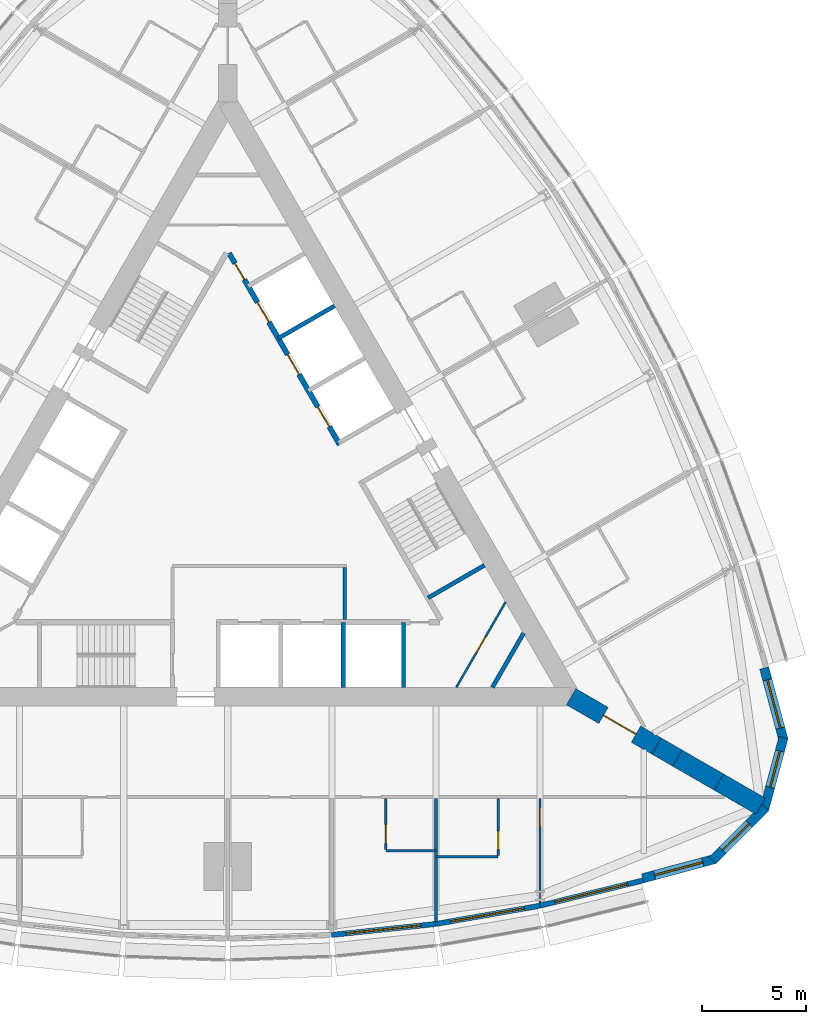
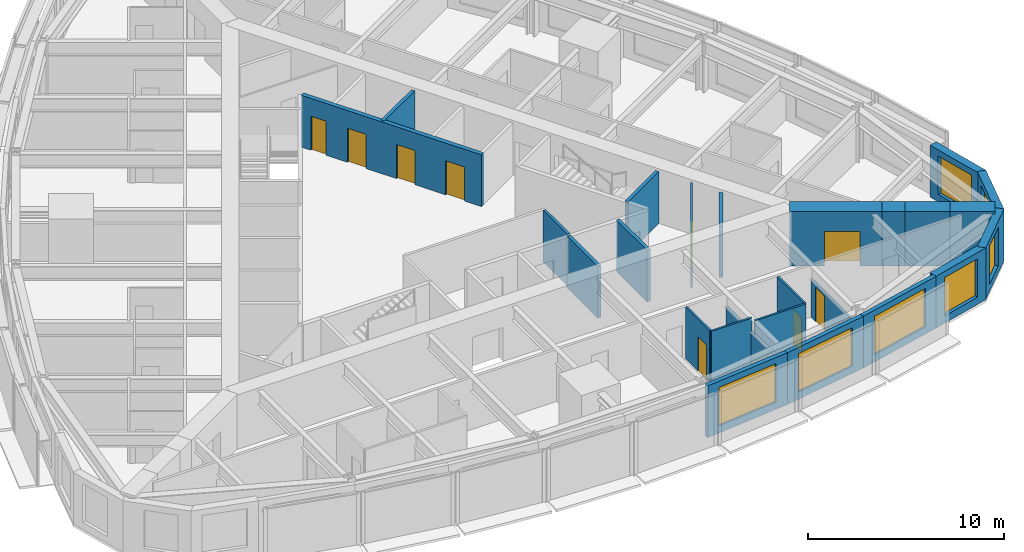
# One storey, part 10 of 14: 25 walls, 9 doors, 7 windows, 16 openings.
"""IFC4 building model written with IfcOpenShell, lengths in metres."""

from ifc_helpers import new_model, si_unit, direction, frame, frame_2d, origin, place, context, subcontext, project, spatial, polyline, rectangle, outline, extrude, material, layer, layer_set, type_object, element, fill, save


model = new_model("IFC4")

# Units and contexts
model_context = context("Model", 3, precision=1e-05, world=origin(), true_north=direction((0.0, 1.0)))
body_context = subcontext(model_context, "Body", "Model", "MODEL_VIEW")
ifc_project = project(units=[si_unit("LENGTHUNIT", "METRE"), si_unit("AREAUNIT", "SQUARE_METRE"), si_unit("VOLUMEUNIT", "CUBIC_METRE"), si_unit("PLANEANGLEUNIT", "RADIAN"), si_unit("MASSUNIT", "GRAM", prefix="KILO")], contexts=[model_context])

# Site, building, storey
site_placement = place(None, origin())
site = spatial("IfcSite", under=ifc_project, at=site_placement, CompositionType="ELEMENT")
building_placement = place(site_placement, origin())
building = spatial("IfcBuilding", under=site, at=building_placement, Name="Trikona Tower", CompositionType="ELEMENT")
storey_placement = place(building_placement, frame((0.0, 0.0, 162.300048828125)))
storey = spatial("IfcBuildingStorey", under=building, at=storey_placement, Name="L43", CompositionType="ELEMENT", Elevation=162.300048828125)

# Wall
ifc_material_1 = material(Name="Metal stud and cement board", Category="gypsum")
ifc_layer_1 = layer(ifc_material_1, 0.1201171875)
ifc_layer_set_1 = layer_set([ifc_layer_1], Name="Bathroom wall 120")
wall_type_1 = type_object("IfcWallType", Name="Bathroom wall 120", PredefinedType="PLUMBINGWALL", material=ifc_layer_set_1)
wall_1_placement = place(storey_placement, frame((7.60009765625, -16.92626953125, 0.0), z_axis=(0.0, 0.0, 1.0), x_axis=(1.0, 0.0, 0.0)))
element("IfcWall", 1, at=wall_1_placement, inside=storey, type_object=wall_type_1, Name="Bathroom wall 4303", PredefinedType="PLUMBINGWALL", context=body_context, shape_type="SweptSolid", body=[
    extrude(rectangle(XDim=2.39990234375, YDim=0.1201171875, at=frame_2d((1.199951171875, 0.0))), origin(), (0.0, 0.0, 1.0), 3.23486328125),
])

# Wall, opening, door
wall_2_placement = place(storey_placement, frame((7.60009765625, -14.42626953125, 0.0), z_axis=(0.0, 0.0, 1.0), x_axis=(0.0, -1.0, 0.0)))
wall_2 = element("IfcWall", 2, at=wall_2_placement, inside=storey, type_object=wall_type_1, Name="Bathroom wall 4303", PredefinedType="PLUMBINGWALL", context=body_context, shape_type="SweptSolid", body=[
    extrude(rectangle(XDim=2.43994140625, YDim=0.1201171875, at=frame_2d((1.219970703125, 0.0))), origin(), (0.0, 0.0, 1.0), 3.23486328125),
])
opening_1_placement = place(wall_2_placement, frame((1.25, 0.0, 0.0)))
opening_1 = element("IfcOpeningElement", 3, at=opening_1_placement, cuts=wall_2, Name="Opening D2", PredefinedType="OPENING", context=body_context, shape_type="SweptSolid", body=[
    extrude(rectangle(XDim=0.89990234375, YDim=2.1298828125, at=frame_2d((0.449951171875, 1.06494140625))), frame((0.0, 0.070068359375, 0.0), z_axis=(0.0, -1.0, 0.0), x_axis=(1.0, 0.0, 0.0)), (0.0, 0.0, 1.0), 0.14013671875),
])
ifc_material_2 = material(Name="Steel door frame with solid-core timber leaf", Category="steel")
door_type_1 = type_object("IfcDoorType", Name="Bathroom door 900x2130", OperationType="SLIDING_TO_LEFT", PredefinedType="DOOR", material=ifc_material_2)
door_1_placement = place(opening_1_placement, origin())
door_1 = element("IfcDoor", 4, at=door_1_placement, inside=storey, type_object=door_type_1, Name="Bathroom door 4303", OperationType="SLIDING_TO_LEFT", OverallHeight=2.1298828125, OverallWidth=0.89990234375, PredefinedType="DOOR", context=body_context, shape_type="SweptSolid", body=[
    extrude(rectangle(XDim=0.89990234375, YDim=2.1298828125, at=frame_2d((0.449951171875, 1.06494140625))), frame((0.0, 0.02490234375, 0.0), z_axis=(0.0, -1.0, 0.0), x_axis=(1.0, 0.0, 0.0)), (0.0, 0.0, 1.0), 0.050048828125),
])
fill(opening_1, door_1)

# Wall
wall_3_placement = place(storey_placement, frame((10.0, -17.226318359375, 0.0), z_axis=(0.0, 0.0, 1.0), x_axis=(1.0, 0.0, 0.0)))
element("IfcWall", 5, at=wall_3_placement, inside=storey, type_object=wall_type_1, Name="Bathroom wall 4304.1", PredefinedType="PLUMBINGWALL", context=body_context, shape_type="SweptSolid", body=[
    extrude(rectangle(XDim=3.0, YDim=0.1201171875, at=frame_2d((1.5, 0.0))), origin(), (0.0, 0.0, 1.0), 3.23486328125),
])

# Wall, opening, door
wall_4_placement = place(storey_placement, frame((13.0, -14.42626953125, 0.0), z_axis=(0.0, 0.0, 1.0), x_axis=(0.0, -1.0, 0.0)))
wall_4 = element("IfcWall", 6, at=wall_4_placement, inside=storey, type_object=wall_type_1, Name="Bathroom wall 4304.1", PredefinedType="PLUMBINGWALL", context=body_context, shape_type="SweptSolid", body=[
    extrude(rectangle(XDim=2.739990234375, YDim=0.1201171875, at=frame_2d((1.3701171875, 0.0))), origin(), (0.0, 0.0, 1.0), 3.23486328125),
])
opening_2_placement = place(wall_4_placement, frame((1.550048828125, 0.0, 0.0)))
opening_2 = element("IfcOpeningElement", 7, at=opening_2_placement, cuts=wall_4, Name="Opening D2", PredefinedType="OPENING", context=body_context, shape_type="SweptSolid", body=[
    extrude(rectangle(XDim=0.89990234375, YDim=2.1298828125, at=frame_2d((0.449951171875, 1.06494140625))), frame((0.0, 0.070068359375, 0.0), z_axis=(0.0, -1.0, 0.0), x_axis=(1.0, 0.0, 0.0)), (0.0, 0.0, 1.0), 0.14013671875),
])
door_2_placement = place(opening_2_placement, origin())
door_2 = element("IfcDoor", 8, at=door_2_placement, inside=storey, type_object=door_type_1, Name="Bathroom door 4304.1", OperationType="SLIDING_TO_LEFT", OverallHeight=2.1298828125, OverallWidth=0.89990234375, PredefinedType="DOOR", context=body_context, shape_type="SweptSolid", body=[
    extrude(rectangle(XDim=0.89990234375, YDim=2.1298828125, at=frame_2d((0.449951171875, 1.06494140625))), frame((0.0, 0.02490234375, 0.0), z_axis=(0.0, -1.0, 0.0), x_axis=(1.0, 0.0, 0.0)), (0.0, 0.0, 1.0), 0.050048828125),
])
fill(opening_2, door_2)

# Wall, opening, window
ifc_material_3 = material(Name="Brick-faced precast concrete", Category="masonry")
ifc_layer_2 = layer(ifc_material_3, 0.449951171875)
ifc_layer_set_2 = layer_set([ifc_layer_2], Name="Brick-faced corner wall 450")
wall_type_2 = type_object("IfcWallType", Name="Brick-faced corner wall 450", PredefinedType="SOLIDWALL", material=ifc_layer_set_2)
wall_5_placement = place(storey_placement, frame((19.94189453125, -18.2578125, 0.0), z_axis=(0.0, 0.0, 1.0), x_axis=(0.965924653531, 0.258823421857, 0.0)))
wall_5 = element("IfcWall", 9, at=wall_5_placement, inside=storey, type_object=wall_type_2, Name="External wall L43-08", PredefinedType="SOLIDWALL", context=body_context, shape_type="SweptSolid", body=[
    extrude(rectangle(XDim=3.58642578125, YDim=0.449951171875, at=frame_2d((1.793212890625, 0.0))), origin(), (0.0, 0.0, 1.0), 3.23486328125),
])
opening_3_placement = place(wall_5_placement, frame((0.593017578125, 0.0, 0.449951171875)))
opening_3 = element("IfcOpeningElement", 10, at=opening_3_placement, cuts=wall_5, Name="Opening W2424", PredefinedType="OPENING", context=body_context, shape_type="SweptSolid", body=[
    extrude(rectangle(XDim=2.39990234375, YDim=2.39990234375, at=frame_2d((1.199951171875, 1.199951171875))), frame((0.0, 0.23486328125, 0.0), z_axis=(0.0, -1.0, 0.0), x_axis=(1.0, 0.0, 0.0)), (0.0, 0.0, 1.0), 0.469970703125),
])
ifc_material_4 = material(Name="Aluminium-framed double glazing", Category="aluminium")
window_type_1 = type_object("IfcWindowType", Name="Window 2400x2400", PartitioningType="SINGLE_PANEL", PredefinedType="WINDOW", material=ifc_material_4)
window_1_placement = place(opening_3_placement, origin())
window_1 = element("IfcWindow", 11, at=window_1_placement, inside=storey, type_object=window_type_1, Name="Window 4304", OverallHeight=2.39990234375, OverallWidth=2.39990234375, PartitioningType="SINGLE_PANEL", PredefinedType="WINDOW", context=body_context, shape_type="SweptSolid", body=[
    extrude(rectangle(XDim=2.39990234375, YDim=2.39990234375, at=frame_2d((1.199951171875, 1.199951171875))), frame((0.0, 0.030029296875, 0.0), z_axis=(0.0, -1.0, 0.0), x_axis=(1.0, 0.0, 0.0)), (0.0, 0.0, 1.0), 0.06005859375),
])
fill(opening_3, window_1)

wall_6_placement = place(storey_placement, frame((23.304931640625, -17.387939453125, 0.0), z_axis=(0.0, 0.0, 1.0), x_axis=(0.707106781187, 0.707106781187, 0.0)))
wall_6 = element("IfcWall", 12, at=wall_6_placement, inside=storey, type_object=wall_type_2, Name="External wall L43-09", PredefinedType="SOLIDWALL", context=body_context, shape_type="SweptSolid", body=[
    extrude(outline(polyline([(3.586181640625, 0.22509765625), (3.527099609375, 0.22509765625), (3.03515625, 0.09326171875), (3.0, 0.22509765625), (0.0, 0.22509765625), (0.0, -0.22509765625), (3.586181640625, -0.22509765625), (3.586181640625, 0.22509765625)])), origin(), (0.0, 0.0, 1.0), 3.23486328125),
])
opening_4_placement = place(wall_6_placement, frame((0.6748046875, 0.0, 0.449951171875)))
opening_4 = element("IfcOpeningElement", 13, at=opening_4_placement, cuts=wall_6, Name="Opening W1824", PredefinedType="OPENING", context=body_context, shape_type="SweptSolid", body=[
    extrude(rectangle(XDim=1.800048828125, YDim=2.39990234375, at=frame_2d((0.89990234375, 1.199951171875))), frame((0.0, 0.23486328125, 0.0), z_axis=(0.0, -1.0, 0.0), x_axis=(1.0, 0.0, 0.0)), (0.0, 0.0, 1.0), 0.469970703125),
])
ifc_material_5 = material(Name="Aluminium-framed double glazing", Category="aluminium")
window_type_2 = type_object("IfcWindowType", Name="Window 1800x2400", PartitioningType="SINGLE_PANEL", PredefinedType="WINDOW", material=ifc_material_5)
window_2_placement = place(opening_4_placement, origin())
window_2 = element("IfcWindow", 14, at=window_2_placement, inside=storey, type_object=window_type_2, Name="Window 4304", OverallHeight=2.39990234375, OverallWidth=1.800048828125, PartitioningType="SINGLE_PANEL", PredefinedType="WINDOW", context=body_context, shape_type="SweptSolid", body=[
    extrude(rectangle(XDim=1.800048828125, YDim=2.39990234375, at=frame_2d((0.89990234375, 1.199951171875))), frame((0.0, 0.030029296875, 0.0), z_axis=(0.0, -1.0, 0.0), x_axis=(1.0, 0.0, 0.0)), (0.0, 0.0, 1.0), 0.06005859375),
])
fill(opening_4, window_2)

wall_7_placement = place(storey_placement, frame((25.78271484375, -14.952880859375, 0.0), z_axis=(0.0, 0.0, 1.0), x_axis=(0.258823421857, 0.965924653531, 0.0)))
wall_7 = element("IfcWall", 15, at=wall_7_placement, inside=storey, type_object=wall_type_2, Name="External wall L43-10", PredefinedType="SOLIDWALL", context=body_context, shape_type="SweptSolid", body=[
    extrude(outline(polyline([(3.58642578125, 0.22509765625), (0.58642578125, 0.22509765625), (0.551025390625, 0.09326171875), (0.0595703125, 0.22509765625), (0.0, 0.22509765625), (0.0, -0.22509765625), (3.58642578125, -0.22509765625), (3.58642578125, 0.22509765625)])), origin(), (0.0, 0.0, 1.0), 3.23486328125),
])
opening_5_placement = place(wall_7_placement, frame((1.111328125, 0.0, 0.449951171875)))
opening_5 = element("IfcOpeningElement", 16, at=opening_5_placement, cuts=wall_7, Name="Opening W1824", PredefinedType="OPENING", context=body_context, shape_type="SweptSolid", body=[
    extrude(rectangle(XDim=1.800048828125, YDim=2.39990234375, at=frame_2d((0.89990234375, 1.199951171875))), frame((0.0, 0.23486328125, 0.0), z_axis=(0.0, -1.0, 0.0), x_axis=(1.0, 0.0, 0.0)), (0.0, 0.0, 1.0), 0.469970703125),
])
window_3_placement = place(opening_5_placement, origin())
window_3 = element("IfcWindow", 17, at=window_3_placement, inside=storey, type_object=window_type_2, Name="Window 4305", OverallHeight=2.39990234375, OverallWidth=1.800048828125, PartitioningType="SINGLE_PANEL", PredefinedType="WINDOW", context=body_context, shape_type="SweptSolid", body=[
    extrude(rectangle(XDim=1.800048828125, YDim=2.39990234375, at=frame_2d((0.89990234375, 1.199951171875))), frame((0.0, 0.030029296875, 0.0), z_axis=(0.0, -1.0, 0.0), x_axis=(1.0, 0.0, 0.0)), (0.0, 0.0, 1.0), 0.06005859375),
])
fill(opening_5, window_3)

wall_8_placement = place(storey_placement, frame((26.7109375, -11.605224609375, 0.0), z_axis=(0.0, 0.0, 1.0), x_axis=(-0.258823421857, 0.965924653531, 0.0)))
wall_8 = element("IfcWall", 18, at=wall_8_placement, inside=storey, type_object=wall_type_2, Name="External wall L43-11", PredefinedType="SOLIDWALL", context=body_context, shape_type="SweptSolid", body=[
    extrude(rectangle(XDim=3.58642578125, YDim=0.449951171875, at=frame_2d((1.793212890625, 0.0))), origin(), (0.0, 0.0, 1.0), 3.23486328125),
])
opening_6_placement = place(wall_8_placement, frame((0.593017578125, 0.0, 0.449951171875)))
opening_6 = element("IfcOpeningElement", 19, at=opening_6_placement, cuts=wall_8, Name="Opening W2424", PredefinedType="OPENING", context=body_context, shape_type="SweptSolid", body=[
    extrude(rectangle(XDim=2.39990234375, YDim=2.39990234375, at=frame_2d((1.199951171875, 1.199951171875))), frame((0.0, 0.23486328125, 0.0), z_axis=(0.0, -1.0, 0.0), x_axis=(1.0, 0.0, 0.0)), (0.0, 0.0, 1.0), 0.469970703125),
])
window_4_placement = place(opening_6_placement, origin())
window_4 = element("IfcWindow", 20, at=window_4_placement, inside=storey, type_object=window_type_1, Name="Window 4305", OverallHeight=2.39990234375, OverallWidth=2.39990234375, PartitioningType="SINGLE_PANEL", PredefinedType="WINDOW", context=body_context, shape_type="SweptSolid", body=[
    extrude(rectangle(XDim=2.39990234375, YDim=2.39990234375, at=frame_2d((1.199951171875, 1.199951171875))), frame((0.0, 0.030029296875, 0.0), z_axis=(0.0, -1.0, 0.0), x_axis=(1.0, 0.0, 0.0)), (0.0, 0.0, 1.0), 0.06005859375),
])
fill(opening_6, window_4)

# Wall, opening, door
ifc_material_6 = material(Name="Concrete f'c 10000 psi", Category="concrete")
ifc_layer_3 = layer(ifc_material_6, 0.89990234375)
ifc_layer_set_3 = layer_set([ifc_layer_3], Name="Buttress wall 900")
wall_type_3 = type_object("IfcWallType", Name="Buttress wall 900", PredefinedType="SHEAR", material=ifc_layer_set_3)
wall_9_placement = place(storey_placement, frame((16.5, -9.5263671875, 0.0), z_axis=(0.0, 0.0, 1.0), x_axis=(0.866031398331, -0.499989616998, 0.0)))
wall_9 = element("IfcWall", 21, at=wall_9_placement, inside=storey, type_object=wall_type_3, Name="Buttress wall 1", PredefinedType="SHEAR", context=body_context, shape_type="SweptSolid", body=[
    extrude(rectangle(XDim=4.74609375, YDim=0.89990234375, at=frame_2d((2.373046875, 0.0))), origin(), (0.0, 0.0, 1.0), 3.39990234375),
])
opening_7_placement = place(wall_9_placement, frame((1.800048828125, 0.0, 0.0)))
opening_7 = element("IfcOpeningElement", 22, at=opening_7_placement, cuts=wall_9, Name="Opening D10", PredefinedType="OPENING", context=body_context, shape_type="SweptSolid", body=[
    extrude(rectangle(XDim=1.800048828125, YDim=2.1298828125, at=frame_2d((0.89990234375, 1.06494140625))), frame((0.0, 0.4599609375, 0.0), z_axis=(0.0, -1.0, 0.0), x_axis=(1.0, 0.0, 0.0)), (0.0, 0.0, 1.0), 0.919921875),
])
ifc_material_7 = material(Name="Hollow metal door and frame", Category="steel")
door_type_2 = type_object("IfcDoorType", Name="Cross-corridor door pair 1800x2130", OperationType="DOUBLE_DOOR_DOUBLE_SWING", PredefinedType="DOOR", material=ifc_material_7)
door_3_placement = place(opening_7_placement, origin())
door_3 = element("IfcDoor", 23, at=door_3_placement, inside=storey, type_object=door_type_2, Name="Cross-corridor door 1", OperationType="DOUBLE_DOOR_DOUBLE_SWING", OverallHeight=2.1298828125, OverallWidth=1.800048828125, PredefinedType="DOOR", context=body_context, shape_type="SweptSolid", body=[
    extrude(rectangle(XDim=1.800048828125, YDim=2.1298828125, at=frame_2d((0.89990234375, 1.06494140625))), frame((0.0, 0.02490234375, 0.0), z_axis=(0.0, -1.0, 0.0), x_axis=(1.0, 0.0, 0.0)), (0.0, 0.0, 1.0), 0.050048828125),
])
fill(opening_7, door_3)

# Walls
wall_10_placement = place(storey_placement, frame((20.6103515625, -11.8994140625, 0.0), z_axis=(0.0, 0.0, 1.0), x_axis=(0.866009537788, -0.500027479704, 0.0)))
element("IfcWall", 24, at=wall_10_placement, inside=storey, type_object=wall_type_3, Name="Buttress wall 1 part 2", PredefinedType="SHEAR", context=body_context, shape_type="SweptSolid", body=[
    extrude(rectangle(XDim=1.15478515625, YDim=0.89990234375, at=frame_2d((0.577392578125, 0.0))), origin(), (0.0, 0.0, 1.0), 3.39990234375),
])
for number, where, z_axis, x_axis, name in (
    (25, (21.6103515625, -12.476806640625, 0.0), (0.0, 0.0, 1.0), (0.866055313784, -0.499948190782, 0.0), "Buttress wall 1 part 3"),
    (26, (23.6103515625, -13.63134765625, 0.0), (0.0, 0.0, 1.0), (0.866009537788, -0.500027479704, 0.0), "Buttress wall 1 part 4"),
):
    element("IfcWall", number, at=place(storey_placement, frame(where, z_axis=z_axis, x_axis=x_axis)), inside=storey, type_object=wall_type_3, Name=name, PredefinedType="SHEAR", context=body_context, shape_type="SweptSolid", body=[
        extrude(rectangle(XDim=2.309326171875, YDim=0.89990234375, at=frame_2d((1.15478515625, 0.0))), origin(), (0.0, 0.0, 1.0), 3.39990234375),
    ])

# Wall, openings, doors
ifc_material_8 = material(Name="Concrete f'c 8000 psi", Category="concrete")
ifc_layer_4 = layer(ifc_material_8, 0.25)
ifc_layer_set_4 = layer_set([ifc_layer_4], Name="Hub wall 250")
wall_type_4 = type_object("IfcWallType", Name="Hub wall 250", PredefinedType="SOLIDWALL", material=ifc_layer_set_4)
wall_11_placement = place(storey_placement, frame((5.37890625, 2.5859375, 0.0), z_axis=(0.0, 0.0, 1.0), x_axis=(-0.500001375892, 0.866024609411, 0.0)))
wall_11 = element("IfcWall", 27, at=wall_11_placement, inside=storey, type_object=wall_type_4, Name="Lift lobby wall B2", PredefinedType="SOLIDWALL", context=body_context, shape_type="SweptSolid", body=[
    extrude(rectangle(XDim=10.6328125, YDim=0.25, at=frame_2d((5.31640625, 0.0))), origin(), (0.0, 0.0, 1.0), 3.23486328125),
])
opening_8_placement = place(wall_11_placement, frame((9.1640625, 0.0, 0.0)))
opening_8 = element("IfcOpeningElement", 28, at=opening_8_placement, cuts=wall_11, Name="Opening D14", PredefinedType="OPENING", context=body_context, shape_type="SweptSolid", body=[
    extrude(rectangle(XDim=0.89990234375, YDim=2.1298828125, at=frame_2d((0.449951171875, 1.06494140625))), frame((0.0, 0.135009765625, 0.0), z_axis=(0.0, -1.0, 0.0), x_axis=(1.0, 0.0, 0.0)), (0.0, 0.0, 1.0), 0.27001953125),
])
opening_9_placement = place(wall_11_placement, frame((1.0, 0.0, 0.0)))
opening_9 = element("IfcOpeningElement", 29, at=opening_9_placement, cuts=wall_11, Name="Opening LD", PredefinedType="OPENING", context=body_context, shape_type="SweptSolid", body=[
    extrude(rectangle(XDim=1.10009765625, YDim=2.1298828125, at=frame_2d((0.550048828125, 1.06494140625))), frame((0.0, 0.135009765625, 0.0), z_axis=(0.0, -1.0, 0.0), x_axis=(1.0, 0.0, 0.0)), (0.0, 0.0, 1.0), 0.27001953125),
])
opening_10_placement = place(wall_11_placement, frame((3.89990234375, 0.0, 0.0)))
opening_10 = element("IfcOpeningElement", 30, at=opening_10_placement, cuts=wall_11, Name="Opening LD", PredefinedType="OPENING", context=body_context, shape_type="SweptSolid", body=[
    extrude(rectangle(XDim=1.10009765625, YDim=2.1298828125, at=frame_2d((0.550048828125, 1.06494140625))), frame((0.0, 0.135009765625, 0.0), z_axis=(0.0, -1.0, 0.0), x_axis=(1.0, 0.0, 0.0)), (0.0, 0.0, 1.0), 0.27001953125),
])
opening_11_placement = place(wall_11_placement, frame((6.800048828125, 0.0, 0.0)))
opening_11 = element("IfcOpeningElement", 31, at=opening_11_placement, cuts=wall_11, Name="Opening LD", PredefinedType="OPENING", context=body_context, shape_type="SweptSolid", body=[
    extrude(rectangle(XDim=1.10009765625, YDim=2.1298828125, at=frame_2d((0.550048828125, 1.06494140625))), frame((0.0, 0.135009765625, 0.0), z_axis=(0.0, -1.0, 0.0), x_axis=(1.0, 0.0, 0.0)), (0.0, 0.0, 1.0), 0.27001953125),
])
ifc_material_9 = material(Name="Stainless steel lift landing door", Category="steel")
door_type_3 = type_object("IfcDoorType", Name="Lift landing door 1100x2130", OperationType="DOUBLE_DOOR_SLIDING", PredefinedType="USERDEFINED", material=ifc_material_9)
door_4_placement = place(opening_9_placement, origin())
door_4 = element("IfcDoor", 32, at=door_4_placement, inside=storey, type_object=door_type_3, Name="Lift landing door L2-1", ObjectType="LIFT LANDING DOOR", OperationType="DOUBLE_DOOR_SLIDING", OverallHeight=2.1298828125, OverallWidth=1.10009765625, PredefinedType="USERDEFINED", context=body_context, shape_type="SweptSolid", body=[
    extrude(rectangle(XDim=1.10009765625, YDim=2.1298828125, at=frame_2d((0.550048828125, 1.06494140625))), frame((0.0, 0.02490234375, 0.0), z_axis=(0.0, -1.0, 0.0), x_axis=(1.0, 0.0, 0.0)), (0.0, 0.0, 1.0), 0.050048828125),
])
fill(opening_9, door_4)
door_5_placement = place(opening_10_placement, origin())
door_5 = element("IfcDoor", 33, at=door_5_placement, inside=storey, type_object=door_type_3, Name="Lift landing door L2-2", ObjectType="LIFT LANDING DOOR", OperationType="DOUBLE_DOOR_SLIDING", OverallHeight=2.1298828125, OverallWidth=1.10009765625, PredefinedType="USERDEFINED", context=body_context, shape_type="SweptSolid", body=[
    extrude(rectangle(XDim=1.10009765625, YDim=2.1298828125, at=frame_2d((0.550048828125, 1.06494140625))), frame((0.0, 0.02490234375, 0.0), z_axis=(0.0, -1.0, 0.0), x_axis=(1.0, 0.0, 0.0)), (0.0, 0.0, 1.0), 0.050048828125),
])
fill(opening_10, door_5)
door_6_placement = place(opening_11_placement, origin())
door_6 = element("IfcDoor", 34, at=door_6_placement, inside=storey, type_object=door_type_3, Name="Lift landing door L2-3", ObjectType="LIFT LANDING DOOR", OperationType="DOUBLE_DOOR_SLIDING", OverallHeight=2.1298828125, OverallWidth=1.10009765625, PredefinedType="USERDEFINED", context=body_context, shape_type="SweptSolid", body=[
    extrude(rectangle(XDim=1.10009765625, YDim=2.1298828125, at=frame_2d((0.550048828125, 1.06494140625))), frame((0.0, 0.02490234375, 0.0), z_axis=(0.0, -1.0, 0.0), x_axis=(1.0, 0.0, 0.0)), (0.0, 0.0, 1.0), 0.050048828125),
])
fill(opening_11, door_6)
ifc_material_10 = material(Name="Hollow metal door and frame", Category="steel")
door_type_4 = type_object("IfcDoorType", Name="Service room door 900x2130", OperationType="SINGLE_SWING_LEFT", PredefinedType="DOOR", material=ifc_material_10)
door_7_placement = place(opening_8_placement, origin())
door_7 = element("IfcDoor", 35, at=door_7_placement, inside=storey, type_object=door_type_4, Name="Door Housekeeping store HKS", OperationType="SINGLE_SWING_RIGHT", OverallHeight=2.1298828125, OverallWidth=0.89990234375, PredefinedType="DOOR", context=body_context, shape_type="SweptSolid", body=[
    extrude(rectangle(XDim=0.89990234375, YDim=2.1298828125, at=frame_2d((0.449951171875, 1.06494140625))), frame((0.0, 0.02490234375, 0.0), z_axis=(0.0, -1.0, 0.0), x_axis=(1.0, 0.0, 0.0)), (0.0, 0.0, 1.0), 0.050048828125),
])
fill(opening_8, door_7)

# Wall, opening, window
ifc_material_11 = material(Name="Insulated precast concrete spandrel panel", Category="concrete")
ifc_layer_5 = layer(ifc_material_11, 0.25)
ifc_layer_set_5 = layer_set([ifc_layer_5], Name="Inner skin wall 250")
wall_type_5 = type_object("IfcWallType", Name="Inner skin wall 250", PredefinedType="STANDARD", material=ifc_layer_set_5)
wall_12_placement = place(storey_placement, frame((4.98681640625, -20.975830078125, 0.0), z_axis=(0.0, 0.0, 1.0), x_axis=(0.994534683851, 0.104406717299, 0.0)))
wall_12 = element("IfcWall", 36, at=wall_12_placement, inside=storey, type_object=wall_type_5, Name="External wall L43-05", PredefinedType="STANDARD", context=body_context, shape_type="SweptSolid", body=[
    extrude(rectangle(XDim=5.027587890625, YDim=0.25, at=frame_2d((2.513671875, 0.0))), origin(), (0.0, 0.0, 1.0), 3.23486328125),
])
opening_12_placement = place(wall_12_placement, frame((0.713623046875, 0.0, 0.449951171875)))
opening_12 = element("IfcOpeningElement", 37, at=opening_12_placement, cuts=wall_12, Name="Opening W3624", PredefinedType="OPENING", context=body_context, shape_type="SweptSolid", body=[
    extrude(rectangle(XDim=3.60009765625, YDim=2.39990234375, at=frame_2d((1.800048828125, 1.199951171875))), frame((0.0, 0.135009765625, 0.0), z_axis=(0.0, -1.0, 0.0), x_axis=(1.0, 0.0, 0.0)), (0.0, 0.0, 1.0), 0.27001953125),
])
ifc_material_12 = material(Name="Aluminium-framed double glazing", Category="aluminium")
window_type_3 = type_object("IfcWindowType", Name="Window 3600x2400", PartitioningType="SINGLE_PANEL", PredefinedType="WINDOW", material=ifc_material_12)
window_5_placement = place(opening_12_placement, origin())
window_5 = element("IfcWindow", 38, at=window_5_placement, inside=storey, type_object=window_type_3, Name="Window 4303", OverallHeight=2.39990234375, OverallWidth=3.60009765625, PartitioningType="SINGLE_PANEL", PredefinedType="WINDOW", context=body_context, shape_type="SweptSolid", body=[
    extrude(rectangle(XDim=3.60009765625, YDim=2.39990234375, at=frame_2d((1.800048828125, 1.199951171875))), frame((0.0, 0.030029296875, 0.0), z_axis=(0.0, -1.0, 0.0), x_axis=(1.0, 0.0, 0.0)), (0.0, 0.0, 1.0), 0.06005859375),
])
fill(opening_12, window_5)

wall_13_placement = place(storey_placement, frame((9.978515625, -20.4521484375, 0.0), z_axis=(0.0, 0.0, 1.0), x_axis=(0.985030467156, 0.172380331752, 0.0)))
wall_13 = element("IfcWall", 39, at=wall_13_placement, inside=storey, type_object=wall_type_5, Name="External wall L43-06", PredefinedType="STANDARD", context=body_context, shape_type="SweptSolid", body=[
    extrude(rectangle(XDim=5.075927734375, YDim=0.25, at=frame_2d((2.5380859375, 0.0))), origin(), (0.0, 0.0, 1.0), 3.23486328125),
])
opening_13_placement = place(wall_13_placement, frame((0.738037109375, 0.0, 0.449951171875)))
opening_13 = element("IfcOpeningElement", 40, at=opening_13_placement, cuts=wall_13, Name="Opening W3624", PredefinedType="OPENING", context=body_context, shape_type="SweptSolid", body=[
    extrude(rectangle(XDim=3.60009765625, YDim=2.39990234375, at=frame_2d((1.800048828125, 1.199951171875))), frame((0.0, 0.135009765625, 0.0), z_axis=(0.0, -1.0, 0.0), x_axis=(1.0, 0.0, 0.0)), (0.0, 0.0, 1.0), 0.27001953125),
])
window_6_placement = place(opening_13_placement, origin())
window_6 = element("IfcWindow", 41, at=window_6_placement, inside=storey, type_object=window_type_3, Name="Window 4304.1", OverallHeight=2.39990234375, OverallWidth=3.60009765625, PartitioningType="SINGLE_PANEL", PredefinedType="WINDOW", context=body_context, shape_type="SweptSolid", body=[
    extrude(rectangle(XDim=3.60009765625, YDim=2.39990234375, at=frame_2d((1.800048828125, 1.199951171875))), frame((0.0, 0.030029296875, 0.0), z_axis=(0.0, -1.0, 0.0), x_axis=(1.0, 0.0, 0.0)), (0.0, 0.0, 1.0), 0.06005859375),
])
fill(opening_13, window_6)

wall_14_placement = place(storey_placement, frame((14.97021484375, -19.578857421875, 0.0), z_axis=(0.0, 0.0, 1.0), x_axis=(0.971270024053, 0.237980126011, 0.0)))
wall_14 = element("IfcWall", 42, at=wall_14_placement, inside=storey, type_object=wall_type_5, Name="External wall L43-07", PredefinedType="STANDARD", context=body_context, shape_type="SweptSolid", body=[
    extrude(rectangle(XDim=5.14794921875, YDim=0.25, at=frame_2d((2.573974609375, 0.0))), origin(), (0.0, 0.0, 1.0), 3.23486328125),
])
opening_14_placement = place(wall_14_placement, frame((0.77392578125, 0.0, 0.449951171875)))
opening_14 = element("IfcOpeningElement", 43, at=opening_14_placement, cuts=wall_14, Name="Opening W3624", PredefinedType="OPENING", context=body_context, shape_type="SweptSolid", body=[
    extrude(rectangle(XDim=3.60009765625, YDim=2.39990234375, at=frame_2d((1.800048828125, 1.199951171875))), frame((0.0, 0.135009765625, 0.0), z_axis=(0.0, -1.0, 0.0), x_axis=(1.0, 0.0, 0.0)), (0.0, 0.0, 1.0), 0.27001953125),
])
window_7_placement = place(opening_14_placement, origin())
window_7 = element("IfcWindow", 44, at=window_7_placement, inside=storey, type_object=window_type_3, Name="Window 4304", OverallHeight=2.39990234375, OverallWidth=3.60009765625, PartitioningType="SINGLE_PANEL", PredefinedType="WINDOW", context=body_context, shape_type="SweptSolid", body=[
    extrude(rectangle(XDim=3.60009765625, YDim=2.39990234375, at=frame_2d((1.800048828125, 1.199951171875))), frame((0.0, 0.030029296875, 0.0), z_axis=(0.0, -1.0, 0.0), x_axis=(1.0, 0.0, 0.0)), (0.0, 0.0, 1.0), 0.06005859375),
])
fill(opening_14, window_7)

# Walls
ifc_material_13 = material(Name="Metal stud and gypsum board, 2-hour shaft wall", Category="gypsum")
ifc_layer_6 = layer(ifc_material_13, 0.14990234375)
ifc_layer_set_6 = layer_set([ifc_layer_6], Name="Lobby wall 150")
wall_type_6 = type_object("IfcWallType", Name="Lobby wall 150", PredefinedType="PARTITIONING", material=ifc_layer_set_6)
wall_15_placement = place(storey_placement, frame((5.625, -5.826416015625, 0.0), z_axis=(0.0, 0.0, 1.0), x_axis=(0.0, 1.0, 0.0)))
element("IfcWall", 45, at=wall_15_placement, inside=storey, type_object=wall_type_6, Name="Fire service lift lobby wall 3", PredefinedType="PARTITIONING", context=body_context, shape_type="SweptSolid", body=[
    extrude(rectangle(XDim=2.5, YDim=0.14990234375, at=frame_2d((1.25, 0.0))), origin(), (0.0, 0.0, 1.0), 3.23486328125),
])
ifc_material_14 = material(Name="Metal stud and gypsum board, 1-hour acoustic", Category="gypsum")
ifc_layer_7 = layer(ifc_material_14, 0.14990234375)
ifc_layer_set_7 = layer_set([ifc_layer_7], Name="Party wall 150")
wall_type_7 = type_object("IfcWallType", Name="Party wall 150", PredefinedType="PARTITIONING", material=ifc_layer_set_7)
wall_16_placement = place(storey_placement, frame((10.0, -14.42626953125, 0.0), z_axis=(0.0, 0.0, 1.0), x_axis=(0.0, -1.0, 0.0)))
element("IfcWall", 46, at=wall_16_placement, inside=storey, type_object=wall_type_7, Name="Partition L43 F1 u10", PredefinedType="PARTITIONING", context=body_context, shape_type="SweptSolid", body=[
    extrude(rectangle(XDim=5.89501953125, YDim=0.14990234375, at=frame_2d((2.947509765625, 0.0))), origin(), (0.0, 0.0, 1.0), 2.38916015625),
])
ifc_material_15 = material(Name="Concrete f'c 8000 psi", Category="concrete")
ifc_layer_8 = layer(ifc_material_15, 0.199951171875)
ifc_layer_set_8 = layer_set([ifc_layer_8], Name="Shaft wall 200")
wall_type_8 = type_object("IfcWallType", Name="Shaft wall 200", PredefinedType="SOLIDWALL", material=ifc_layer_set_8)
for number, where, z_axis, x_axis, name in (
    (47, (5.550048828125, -5.951416015625, 0.0), (0.0, 0.0, 1.0), (0.0, -1.0, 0.0), "Shaft wall A5"),
    (48, (8.449951171875, -5.951416015625, 0.0), (0.0, 0.0, 1.0), (0.0, -1.0, 0.0), "Shaft wall A6"),
    (49, (2.428955078125, 7.695556640625, 0.0), (0.0, 0.0, 1.0), (0.866022959057, 0.500004234368, 0.0), "Shaft wall B5"),
):
    element("IfcWall", number, at=place(storey_placement, frame(where, z_axis=z_axis, x_axis=x_axis)), inside=storey, type_object=wall_type_8, Name=name, PredefinedType="SOLIDWALL", context=body_context, shape_type="SweptSolid", body=[
        extrude(rectangle(XDim=3.125, YDim=0.199951171875, at=frame_2d((1.5625, 0.0))), origin(), (0.0, 0.0, 1.0), 3.23486328125),
    ])
wall_17_placement = place(storey_placement, frame((14.219482421875, -6.476318359375, 0.0), z_axis=(0.0, 0.0, 1.0), x_axis=(-0.499952404951, -0.866052881055, 0.0)))
element("IfcWall", 50, at=wall_17_placement, inside=storey, type_object=wall_type_8, Name="Riser wall L43-RS1", PredefinedType="SOLIDWALL", context=body_context, shape_type="SweptSolid", body=[
    extrude(rectangle(XDim=3.002197265625, YDim=0.199951171875, at=frame_2d((1.5009765625, 0.0))), origin(), (0.0, 0.0, 1.0), 3.23486328125),
])
ifc_material_16 = material(Name="Concrete f'c 8000 psi", Category="concrete")
ifc_layer_9 = layer(ifc_material_16, 0.199951171875)
ifc_layer_set_9 = layer_set([ifc_layer_9], Name="Shaft wall 200 load-bearing")
wall_type_9 = type_object("IfcWallType", Name="Shaft wall 200 load-bearing", PredefinedType="SOLIDWALL", material=ifc_layer_set_9)
wall_18_placement = place(storey_placement, frame((9.62890625, -4.775390625, 0.0), z_axis=(0.0, 0.0, 1.0), x_axis=(0.866022959057, 0.500004234368, 0.0)))
element("IfcWall", 51, at=wall_18_placement, inside=storey, type_object=wall_type_9, Name="Shaft wall B1", PredefinedType="SOLIDWALL", context=body_context, shape_type="SweptSolid", body=[
    extrude(rectangle(XDim=3.125, YDim=0.199951171875, at=frame_2d((1.5625, 0.0))), origin(), (0.0, 0.0, 1.0), 3.23486328125),
])

# Wall, opening, door
ifc_material_17 = material(Name="Metal stud and gypsum board, acoustic", Category="gypsum")
ifc_layer_10 = layer(ifc_material_17, 0.10009765625)
ifc_layer_set_10 = layer_set([ifc_layer_10], Name="Suite partition 100")
wall_type_10 = type_object("IfcWallType", Name="Suite partition 100", PredefinedType="PARTITIONING", material=ifc_layer_set_10)
wall_19_placement = place(storey_placement, frame((15.0, -14.42626953125, 0.0), z_axis=(0.0, 0.0, 1.0), x_axis=(0.0, -1.0, 0.0)))
wall_19 = element("IfcWall", 52, at=wall_19_placement, inside=storey, type_object=wall_type_10, Name="Suite partition L43 F1 u15", PredefinedType="PARTITIONING", context=body_context, shape_type="SweptSolid", body=[
    extrude(rectangle(XDim=5.0166015625, YDim=0.10009765625, at=frame_2d((2.50830078125, 0.0))), origin(), (0.0, 0.0, 1.0), 2.38916015625),
])
opening_15_placement = place(wall_19_placement, frame((0.449951171875, 0.0, 0.0)))
opening_15 = element("IfcOpeningElement", 53, at=opening_15_placement, cuts=wall_19, Name="Opening D13", PredefinedType="OPENING", context=body_context, shape_type="SweptSolid", body=[
    extrude(rectangle(XDim=0.89990234375, YDim=2.1298828125, at=frame_2d((0.449951171875, 1.06494140625))), frame((0.0, 0.06005859375, 0.0), z_axis=(0.0, -1.0, 0.0), x_axis=(1.0, 0.0, 0.0)), (0.0, 0.0, 1.0), 0.1201171875),
])
ifc_material_18 = material(Name="Steel door frame with solid-core timber leaf", Category="steel")
door_type_5 = type_object("IfcDoorType", Name="Suite door 900x2130", OperationType="SINGLE_SWING_LEFT", PredefinedType="DOOR", material=ifc_material_18)
door_8_placement = place(opening_15_placement, origin())
door_8 = element("IfcDoor", 54, at=door_8_placement, inside=storey, type_object=door_type_5, Name="Suite door 4304", OperationType="SINGLE_SWING_LEFT", OverallHeight=2.1298828125, OverallWidth=0.89990234375, PredefinedType="DOOR", context=body_context, shape_type="SweptSolid", body=[
    extrude(rectangle(XDim=0.89990234375, YDim=2.1298828125, at=frame_2d((0.449951171875, 1.06494140625))), frame((0.0, 0.02490234375, 0.0), z_axis=(0.0, -1.0, 0.0), x_axis=(1.0, 0.0, 0.0)), (0.0, 0.0, 1.0), 0.050048828125),
])
fill(opening_15, door_8)

wall_20_placement = place(storey_placement, frame((13.353515625, -4.976318359375, 0.0), z_axis=(0.0, 0.0, 1.0), x_axis=(-0.499999210213, -0.866025859768, 0.0)))
wall_20 = element("IfcWall", 55, at=wall_20_placement, inside=storey, type_object=wall_type_10, Name="Store partition L43-RS1", PredefinedType="PARTITIONING", context=body_context, shape_type="SweptSolid", body=[
    extrude(rectangle(XDim=4.734375, YDim=0.10009765625, at=frame_2d((2.3671875, 0.0))), origin(), (0.0, 0.0, 1.0), 3.23486328125),
])
opening_16_placement = place(wall_20_placement, frame((1.917236328125, 0.0, 0.0)))
opening_16 = element("IfcOpeningElement", 56, at=opening_16_placement, cuts=wall_20, Name="Opening D15", PredefinedType="OPENING", context=body_context, shape_type="SweptSolid", body=[
    extrude(rectangle(XDim=0.89990234375, YDim=2.1298828125, at=frame_2d((0.449951171875, 1.06494140625))), frame((0.0, 0.06005859375, 0.0), z_axis=(0.0, -1.0, 0.0), x_axis=(1.0, 0.0, 0.0)), (0.0, 0.0, 1.0), 0.1201171875),
])
ifc_material_19 = material(Name="Steel door frame with solid-core timber leaf", Category="steel")
door_type_6 = type_object("IfcDoorType", Name="Store door 900x2130", OperationType="SINGLE_SWING_LEFT", PredefinedType="DOOR", material=ifc_material_19)
door_9_placement = place(opening_16_placement, origin())
door_9 = element("IfcDoor", 57, at=door_9_placement, inside=storey, type_object=door_type_6, Name="Door Storage STO", OperationType="SINGLE_SWING_RIGHT", OverallHeight=2.1298828125, OverallWidth=0.89990234375, PredefinedType="DOOR", context=body_context, shape_type="SweptSolid", body=[
    extrude(rectangle(XDim=0.89990234375, YDim=2.1298828125, at=frame_2d((0.449951171875, 1.06494140625))), frame((0.0, 0.02490234375, 0.0), z_axis=(0.0, -1.0, 0.0), x_axis=(1.0, 0.0, 0.0)), (0.0, 0.0, 1.0), 0.050048828125),
])
fill(opening_16, door_9)

save(model, "model.ifc")
